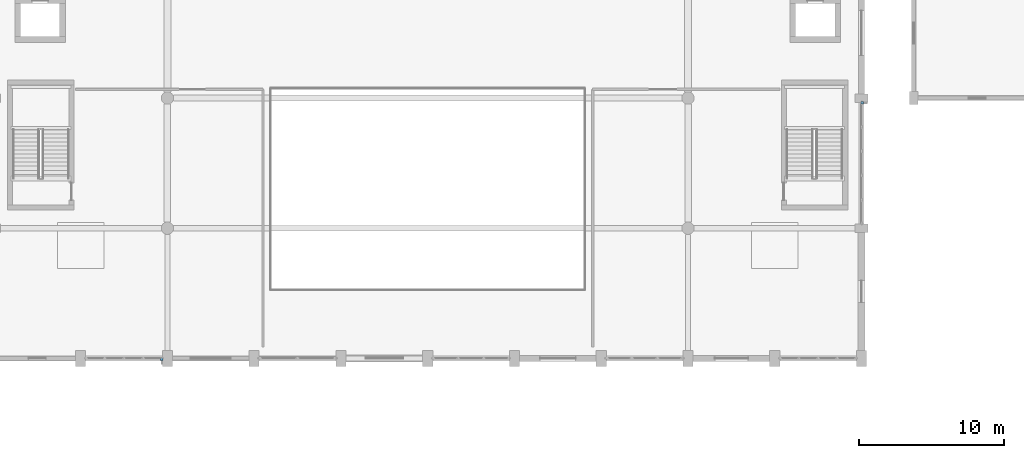
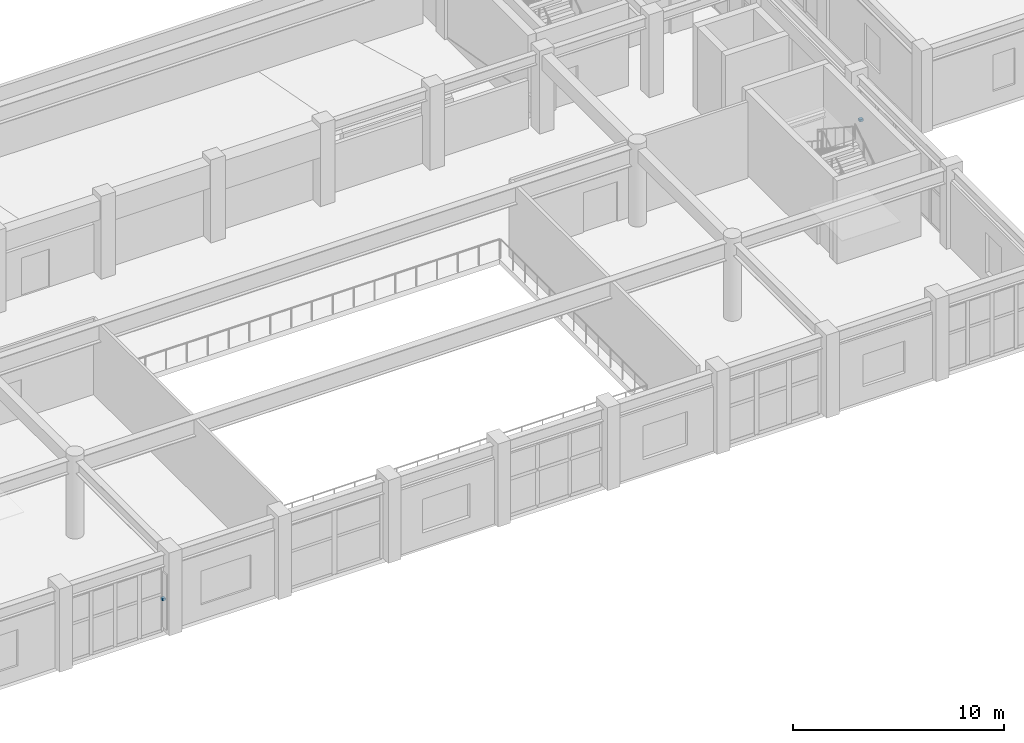
# One storey, part 79 of 96: 2 discrete accessories.
"""IFC4 building model written with IfcOpenShell, lengths in metres."""

from ifc_helpers import new_model, si_unit, direction, frame, origin, origin_2d, place, context, subcontext, project, spatial, rectangle, extrude, material, layer, layer_set, type_object, element, save


model = new_model("IFC4")

# Units and contexts
model_context = context("Model", 3, precision=1e-05, world=origin(), true_north=direction((0.0, 1.0)))
body_context = subcontext(model_context, "Body", "Model", "MODEL_VIEW")
ifc_project = project(units=[si_unit("LENGTHUNIT", "METRE"), si_unit("AREAUNIT", "SQUARE_METRE"), si_unit("VOLUMEUNIT", "CUBIC_METRE"), si_unit("PLANEANGLEUNIT", "RADIAN"), si_unit("MASSUNIT", "GRAM", prefix="KILO")], contexts=[model_context])

# Site, building, storey
site_placement = place(None, origin())
site = spatial("IfcSite", under=ifc_project, at=site_placement, CompositionType="ELEMENT")
building_placement = place(site_placement, origin())
building = spatial("IfcBuilding", under=site, at=building_placement, Name="Vaelkrest Opera House", CompositionType="ELEMENT")
storey_placement = place(building_placement, frame((0.0, 0.0, 5.39990234375)))
storey = spatial("IfcBuildingStorey", under=building, at=storey_placement, Name="L01", CompositionType="ELEMENT", Elevation=5.39990234375)

# Discrete accessories
ifc_material = material(Name="Steel A572 Gr50", Category="steel")
ifc_layer = layer(ifc_material, 0.139892578125)
ifc_layer_set = layer_set([ifc_layer], Name="Steel A572 Gr50")
discrete_accessory_type = type_object("IfcDiscreteAccessoryType", Name="BRK01", PredefinedType="BRACKET", material=ifc_layer_set)
for number, where, z_axis, x_axis, name in (
    (1, (-18.383056640625, -55.840087890625, 1.80029296875), (0.0, 0.0, 1.0), (0.0, -1.0, 0.0), "Shading fin bracket 01"),
    (2, (30.0400390625, -38.135498046875, 1.84228515625), (0.0, 0.0, 1.0), (1.0, 0.0, 0.0), "Shading fin bracket 02"),
):
    element("IfcDiscreteAccessory", number, at=place(storey_placement, frame(where, z_axis=z_axis, x_axis=x_axis)), inside=storey, type_object=discrete_accessory_type, Name=name, PredefinedType="BRACKET", context=body_context, shape_type="SweptSolid", body=[
        extrude(rectangle(XDim=0.179931640625, YDim=0.179931640625, at=origin_2d()), origin(), (0.0, 0.0, 1.0), 0.139892578125),
    ])

save(model, "model.ifc")
